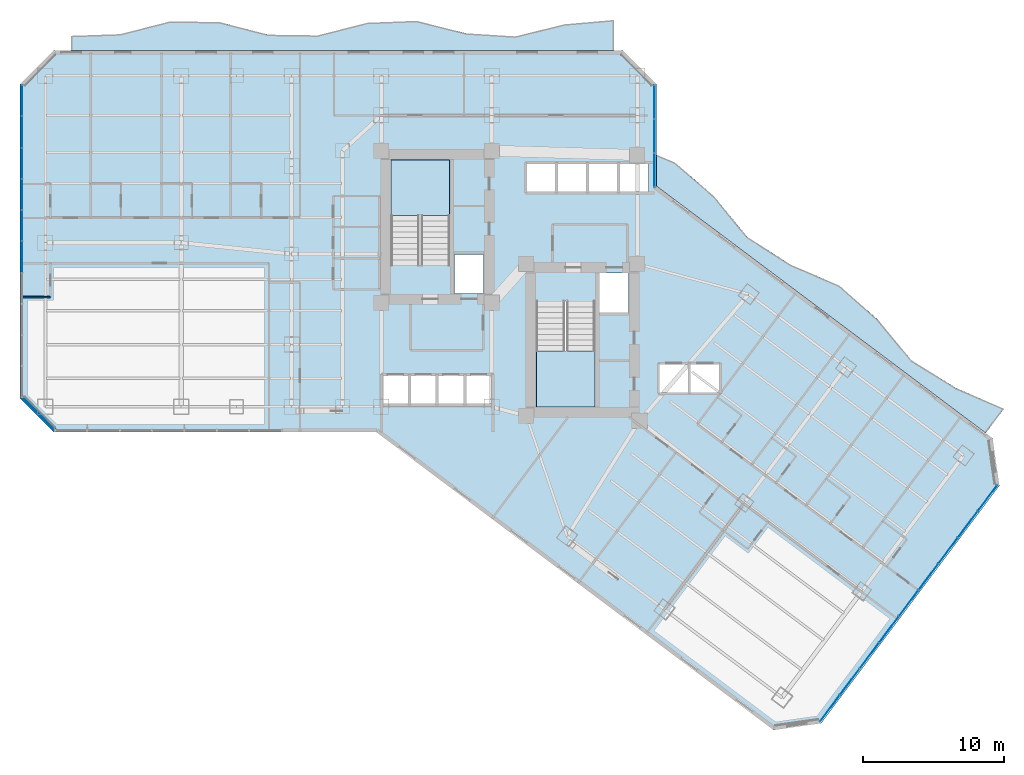
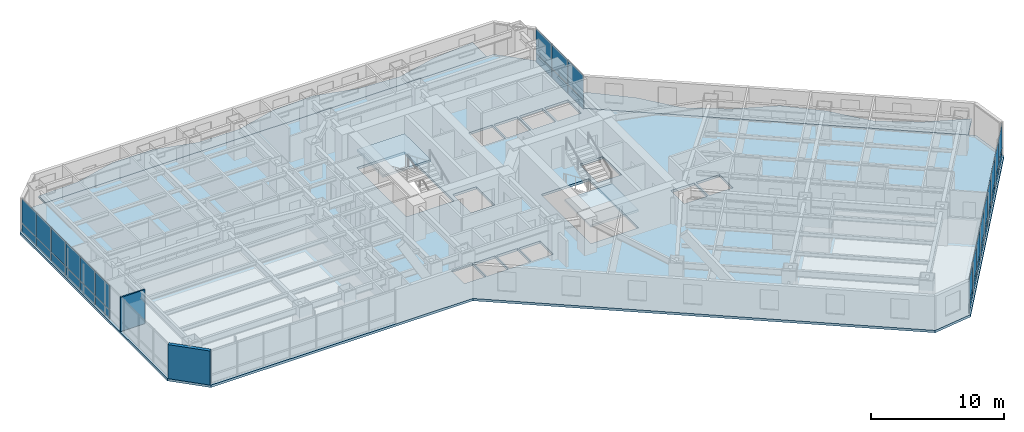
# One storey, part 21 of 33: 36 plates, 5 slabs, 2 walls, 5 elements without a shape of their own.
"""IFC4 building model written with IfcOpenShell, lengths in metres."""

from ifc_helpers import new_model, si_unit, direction, frame, frame_2d, origin, origin_2d, place, context, subcontext, project, spatial, polyline, rectangle, outline, extrude, material, layer, layer_set, type_object, element, aggregate, save


model = new_model("IFC4")

# Units and contexts
model_context = context("Model", 3, precision=1e-05, world=origin(), true_north=direction((0.0, 1.0)))
body_context = subcontext(model_context, "Body", "Model", "MODEL_VIEW")
ifc_project = project(units=[si_unit("LENGTHUNIT", "METRE"), si_unit("AREAUNIT", "SQUARE_METRE"), si_unit("VOLUMEUNIT", "CUBIC_METRE"), si_unit("PLANEANGLEUNIT", "RADIAN"), si_unit("MASSUNIT", "GRAM", prefix="KILO")], contexts=[model_context])

# Site, building, storey
site_placement = place(None, origin())
site = spatial("IfcSite", under=ifc_project, at=site_placement, CompositionType="ELEMENT")
building_placement = place(site_placement, origin())
building = spatial("IfcBuilding", under=site, at=building_placement, Name="Hatsunagi Terrace Concourse", CompositionType="ELEMENT")
storey_placement = place(building_placement, frame((0.0, 0.0, 56.699951171875)))
storey = spatial("IfcBuildingStorey", under=building, at=storey_placement, Name="L14", CompositionType="ELEMENT", Elevation=56.699951171875)

# Curtain wall, plates
ifc_material_1 = material(Name="Anodised Aluminium Alloy 6063-T5", Category="aluminium")
ifc_layer_1 = layer(ifc_material_1, 0.199951171875)
ifc_layer_set_1 = layer_set([ifc_layer_1], Name="HotelFacade_CW02")
curtain_wall_type = type_object("IfcCurtainWallType", Name="HotelFacade_CW02", PredefinedType="NOTDEFINED", material=ifc_layer_set_1)
curtain_wall_1_placement = place(storey_placement, origin())
curtain_wall_1 = element("IfcCurtainWall", 1, at=curtain_wall_1_placement, inside=storey, type_object=curtain_wall_type, Name="Unitised Curtain Wall CW-02 CW-L14-03", PredefinedType="NOTDEFINED")
ifc_material_2 = material(Name="Warm Terracotta Ceramic Spandrel Panel", Category="masonry")
ifc_layer_2 = layer(ifc_material_2, 0.031982421875)
ifc_layer_set_2 = layer_set([ifc_layer_2], Name="CurtainWallSpandrelPanel_32")
plate_type_1 = type_object("IfcPlateType", Name="CurtainWallSpandrelPanel_32", PredefinedType="SHEET", material=ifc_layer_set_2)
plate_1_placement = place(storey_placement, frame((68.39697265625, 18.72998046875, 0.030029296875), z_axis=(0.0, 0.0, 1.0), x_axis=(-0.599969314634, -0.800023013105, 0.0)))
plate_1 = element("IfcPlate", 2, at=plate_1_placement, type_object=plate_type_1, Name="Terracotta Spandrel Panel SPN-01", PredefinedType="SHEET", context=body_context, shape_type="SweptSolid", body=[
    extrude(rectangle(XDim=2.264892578125, YDim=0.031982421875, at=origin_2d()), origin(), (0.0, 0.0, 1.0), 0.7900390625),
])
plate_2_placement = place(storey_placement, frame((67.0048828125, 16.873046875, 0.030029296875), z_axis=(0.0, 0.0, 1.0), x_axis=(-0.599969314634, -0.800023013105, 0.0)))
plate_2 = element("IfcPlate", 3, at=plate_2_placement, type_object=plate_type_1, Name="Terracotta Spandrel Panel SPN-01", PredefinedType="SHEET", context=body_context, shape_type="SweptSolid", body=[
    extrude(rectangle(XDim=2.264892578125, YDim=0.031982421875, at=origin_2d()), origin(), (0.0, 0.0, 1.0), 0.7900390625),
])
plate_3_placement = place(storey_placement, frame((65.612060546875, 15.01708984375, 0.030029296875), z_axis=(0.0, 0.0, 1.0), x_axis=(-0.599969314634, -0.800023013105, 0.0)))
plate_3 = element("IfcPlate", 4, at=plate_3_placement, type_object=plate_type_1, Name="Terracotta Spandrel Panel SPN-01", PredefinedType="SHEET", context=body_context, shape_type="SweptSolid", body=[
    extrude(rectangle(XDim=2.264892578125, YDim=0.031982421875, at=origin_2d()), origin(), (0.0, 0.0, 1.0), 0.7900390625),
])
plate_4_placement = place(storey_placement, frame((64.219970703125, 13.159912109375, 0.030029296875), z_axis=(0.0, 0.0, 1.0), x_axis=(-0.599969314634, -0.800023013105, 0.0)))
plate_4 = element("IfcPlate", 5, at=plate_4_placement, type_object=plate_type_1, Name="Terracotta Spandrel Panel SPN-01", PredefinedType="SHEET", context=body_context, shape_type="SweptSolid", body=[
    extrude(rectangle(XDim=2.264892578125, YDim=0.031982421875, at=origin_2d()), origin(), (0.0, 0.0, 1.0), 0.7900390625),
])
plate_5_placement = place(storey_placement, frame((62.827880859375, 11.303955078125, 0.030029296875), z_axis=(0.0, 0.0, 1.0), x_axis=(-0.599969314634, -0.800023013105, 0.0)))
plate_5 = element("IfcPlate", 6, at=plate_5_placement, type_object=plate_type_1, Name="Terracotta Spandrel Panel SPN-01", PredefinedType="SHEET", context=body_context, shape_type="SweptSolid", body=[
    extrude(rectangle(XDim=2.264892578125, YDim=0.031982421875, at=origin_2d()), origin(), (0.0, 0.0, 1.0), 0.7900390625),
])
plate_6_placement = place(storey_placement, frame((61.43603515625, 9.447998046875, 0.030029296875), z_axis=(0.0, 0.0, 1.0), x_axis=(-0.599969314634, -0.800023013105, 0.0)))
plate_6 = element("IfcPlate", 7, at=plate_6_placement, type_object=plate_type_1, Name="Terracotta Spandrel Panel SPN-01", PredefinedType="SHEET", context=body_context, shape_type="SweptSolid", body=[
    extrude(rectangle(XDim=2.264892578125, YDim=0.031982421875, at=origin_2d()), origin(), (0.0, 0.0, 1.0), 0.7900390625),
])
plate_7_placement = place(storey_placement, frame((60.0439453125, 7.591064453125, 0.030029296875), z_axis=(0.0, 0.0, 1.0), x_axis=(-0.599969314634, -0.800023013105, 0.0)))
plate_7 = element("IfcPlate", 8, at=plate_7_placement, type_object=plate_type_1, Name="Terracotta Spandrel Panel SPN-01", PredefinedType="SHEET", context=body_context, shape_type="SweptSolid", body=[
    extrude(rectangle(XDim=2.264892578125, YDim=0.031982421875, at=origin_2d()), origin(), (0.0, 0.0, 1.0), 0.7900390625),
])
plate_8_placement = place(storey_placement, frame((58.65087890625, 5.735107421875, 0.030029296875), z_axis=(0.0, 0.0, 1.0), x_axis=(-0.599969314634, -0.800023013105, 0.0)))
plate_8 = element("IfcPlate", 9, at=plate_8_placement, type_object=plate_type_1, Name="Terracotta Spandrel Panel SPN-01", PredefinedType="SHEET", context=body_context, shape_type="SweptSolid", body=[
    extrude(rectangle(XDim=2.264892578125, YDim=0.031982421875, at=origin_2d()), origin(), (0.0, 0.0, 1.0), 0.7900390625),
])
plate_9_placement = place(storey_placement, frame((57.259033203125, 3.8779296875, 0.030029296875), z_axis=(0.0, 0.0, 1.0), x_axis=(-0.599969314634, -0.800023013105, 0.0)))
plate_9 = element("IfcPlate", 10, at=plate_9_placement, type_object=plate_type_1, Name="Terracotta Spandrel Panel SPN-01", PredefinedType="SHEET", context=body_context, shape_type="SweptSolid", body=[
    extrude(rectangle(XDim=2.264892578125, YDim=0.031982421875, at=origin_2d()), origin(), (0.0, 0.0, 1.0), 0.7900390625),
])

curtain_wall_2_placement = place(storey_placement, origin())
curtain_wall_2 = element("IfcCurtainWall", 11, at=curtain_wall_2_placement, inside=storey, type_object=curtain_wall_type, Name="Unitised Curtain Wall CW-02 CW-L14-09", PredefinedType="NOTDEFINED")
plate_10_placement = place(storey_placement, frame((0.139892578125, 35.7958984375, 0.030029296875), z_axis=(0.0, 0.0, 1.0), x_axis=(0.0, 1.0, 0.0)))
plate_10 = element("IfcPlate", 12, at=plate_10_placement, type_object=plate_type_1, Name="Terracotta Spandrel Panel SPN-01", PredefinedType="SHEET", context=body_context, shape_type="SweptSolid", body=[
    extrude(rectangle(XDim=2.153076171875, YDim=0.031982421875, at=origin_2d()), origin(), (0.0, 0.0, 1.0), 0.7900390625),
])
plate_11_placement = place(storey_placement, frame((0.139892578125, 38.00390625, 0.030029296875), z_axis=(0.0, 0.0, 1.0), x_axis=(0.0, 1.0, 0.0)))
plate_11 = element("IfcPlate", 13, at=plate_11_placement, type_object=plate_type_1, Name="Terracotta Spandrel Panel SPN-01", PredefinedType="SHEET", context=body_context, shape_type="SweptSolid", body=[
    extrude(rectangle(XDim=2.153076171875, YDim=0.031982421875, at=origin_2d()), origin(), (0.0, 0.0, 1.0), 0.7900390625),
])
plate_12_placement = place(storey_placement, frame((0.139892578125, 40.212890625, 0.030029296875), z_axis=(0.0, 0.0, 1.0), x_axis=(0.0, 1.0, 0.0)))
plate_12 = element("IfcPlate", 14, at=plate_12_placement, type_object=plate_type_1, Name="Terracotta Spandrel Panel SPN-01", PredefinedType="SHEET", context=body_context, shape_type="SweptSolid", body=[
    extrude(rectangle(XDim=2.153076171875, YDim=0.031982421875, at=origin_2d()), origin(), (0.0, 0.0, 1.0), 0.7900390625),
])
plate_13_placement = place(storey_placement, frame((0.139892578125, 42.4208984375, 0.030029296875), z_axis=(0.0, 0.0, 1.0), x_axis=(0.0, 1.0, 0.0)))
plate_13 = element("IfcPlate", 15, at=plate_13_placement, type_object=plate_type_1, Name="Terracotta Spandrel Panel SPN-01", PredefinedType="SHEET", context=body_context, shape_type="SweptSolid", body=[
    extrude(rectangle(XDim=2.153076171875, YDim=0.031982421875, at=origin_2d()), origin(), (0.0, 0.0, 1.0), 0.7900390625),
])
plate_14_placement = place(storey_placement, frame((0.139892578125, 44.62890625, 0.030029296875), z_axis=(0.0, 0.0, 1.0), x_axis=(0.0, 1.0, 0.0)))
plate_14 = element("IfcPlate", 16, at=plate_14_placement, type_object=plate_type_1, Name="Terracotta Spandrel Panel SPN-01", PredefinedType="SHEET", context=body_context, shape_type="SweptSolid", body=[
    extrude(rectangle(XDim=2.153076171875, YDim=0.031982421875, at=origin_2d()), origin(), (0.0, 0.0, 1.0), 0.7900390625),
])
plate_15_placement = place(storey_placement, frame((0.139892578125, 46.837890625, 0.030029296875), z_axis=(0.0, 0.0, 1.0), x_axis=(0.0, 1.0, 0.0)))
plate_15 = element("IfcPlate", 17, at=plate_15_placement, type_object=plate_type_1, Name="Terracotta Spandrel Panel SPN-01", PredefinedType="SHEET", context=body_context, shape_type="SweptSolid", body=[
    extrude(rectangle(XDim=2.153076171875, YDim=0.031982421875, at=origin_2d()), origin(), (0.0, 0.0, 1.0), 0.7900390625),
])

curtain_wall_3_placement = place(storey_placement, origin())
curtain_wall_3 = element("IfcCurtainWall", 18, at=curtain_wall_3_placement, inside=storey, type_object=curtain_wall_type, Name="Unitised Curtain Wall CW-02 CW-L14-13", PredefinedType="NOTDEFINED")
plate_16_placement = place(storey_placement, frame((44.860107421875, 46.739990234375, 0.030029296875), z_axis=(0.0, 0.0, 1.0), x_axis=(0.0, -1.0, 0.0)))
plate_16 = element("IfcPlate", 19, at=plate_16_placement, type_object=plate_type_1, Name="Terracotta Spandrel Panel SPN-01", PredefinedType="SHEET", context=body_context, shape_type="SweptSolid", body=[
    extrude(rectangle(XDim=2.34912109375, YDim=0.031982421875, at=origin_2d()), origin(), (0.0, 0.0, 1.0), 0.7900390625),
])
plate_17_placement = place(storey_placement, frame((44.860107421875, 44.3359375, 0.030029296875), z_axis=(0.0, 0.0, 1.0), x_axis=(0.0, -1.0, 0.0)))
plate_17 = element("IfcPlate", 20, at=plate_17_placement, type_object=plate_type_1, Name="Terracotta Spandrel Panel SPN-01", PredefinedType="SHEET", context=body_context, shape_type="SweptSolid", body=[
    extrude(rectangle(XDim=2.34912109375, YDim=0.031982421875, at=origin_2d()), origin(), (0.0, 0.0, 1.0), 0.7900390625),
])
plate_18_placement = place(storey_placement, frame((44.860107421875, 41.931884765625, 0.030029296875), z_axis=(0.0, 0.0, 1.0), x_axis=(0.0, -1.0, 0.0)))
plate_18 = element("IfcPlate", 21, at=plate_18_placement, type_object=plate_type_1, Name="Terracotta Spandrel Panel SPN-01", PredefinedType="SHEET", context=body_context, shape_type="SweptSolid", body=[
    extrude(rectangle(XDim=2.34912109375, YDim=0.031982421875, at=origin_2d()), origin(), (0.0, 0.0, 1.0), 0.7900390625),
])

# Plate
ifc_material_3 = material(Name="Low-E Double Insulating Glass 28mm", Category="glass")
ifc_layer_3 = layer(ifc_material_3, 0.028076171875)
ifc_layer_set_3 = layer_set([ifc_layer_3], Name="CurtainWallVisionGlass_28")
plate_type_2 = type_object("IfcPlateType", Name="CurtainWallVisionGlass_28", PredefinedType="CURTAIN_PANEL", material=ifc_layer_set_3)
plate_19_placement = place(storey_placement, frame((68.39697265625, 18.72998046875, 0.8798828125), z_axis=(0.0, 0.0, 1.0), x_axis=(-0.599969314634, -0.800023013105, 0.0)))
plate_19 = element("IfcPlate", 22, at=plate_19_placement, type_object=plate_type_2, Name="Low-E Vision Glass Panel GLZ-01", PredefinedType="CURTAIN_PANEL", context=body_context, shape_type="SweptSolid", body=[
    extrude(rectangle(XDim=2.264892578125, YDim=0.028076171875, at=origin_2d()), origin(), (0.0, 0.0, 1.0), 2.219970703125),
])

plate_20_placement = place(storey_placement, frame((67.0048828125, 16.873046875, 0.8798828125), z_axis=(0.0, 0.0, 1.0), x_axis=(-0.599969314634, -0.800023013105, 0.0)))
plate_20 = element("IfcPlate", 23, at=plate_20_placement, type_object=plate_type_2, Name="Low-E Vision Glass Panel GLZ-01", PredefinedType="CURTAIN_PANEL", context=body_context, shape_type="SweptSolid", body=[
    extrude(rectangle(XDim=2.264892578125, YDim=0.028076171875, at=origin_2d()), origin(), (0.0, 0.0, 1.0), 2.219970703125),
])

plate_21_placement = place(storey_placement, frame((65.612060546875, 15.01708984375, 0.8798828125), z_axis=(0.0, 0.0, 1.0), x_axis=(-0.599969314634, -0.800023013105, 0.0)))
plate_21 = element("IfcPlate", 24, at=plate_21_placement, type_object=plate_type_2, Name="Low-E Vision Glass Panel GLZ-01", PredefinedType="CURTAIN_PANEL", context=body_context, shape_type="SweptSolid", body=[
    extrude(rectangle(XDim=2.264892578125, YDim=0.028076171875, at=origin_2d()), origin(), (0.0, 0.0, 1.0), 2.219970703125),
])

plate_22_placement = place(storey_placement, frame((64.219970703125, 13.159912109375, 0.8798828125), z_axis=(0.0, 0.0, 1.0), x_axis=(-0.599969314634, -0.800023013105, 0.0)))
plate_22 = element("IfcPlate", 25, at=plate_22_placement, type_object=plate_type_2, Name="Low-E Vision Glass Panel GLZ-01", PredefinedType="CURTAIN_PANEL", context=body_context, shape_type="SweptSolid", body=[
    extrude(rectangle(XDim=2.264892578125, YDim=0.028076171875, at=origin_2d()), origin(), (0.0, 0.0, 1.0), 2.219970703125),
])

plate_23_placement = place(storey_placement, frame((62.827880859375, 11.303955078125, 0.8798828125), z_axis=(0.0, 0.0, 1.0), x_axis=(-0.599969314634, -0.800023013105, 0.0)))
plate_23 = element("IfcPlate", 26, at=plate_23_placement, type_object=plate_type_2, Name="Low-E Vision Glass Panel GLZ-01", PredefinedType="CURTAIN_PANEL", context=body_context, shape_type="SweptSolid", body=[
    extrude(rectangle(XDim=2.264892578125, YDim=0.028076171875, at=origin_2d()), origin(), (0.0, 0.0, 1.0), 2.219970703125),
])

plate_24_placement = place(storey_placement, frame((61.43603515625, 9.447998046875, 0.8798828125), z_axis=(0.0, 0.0, 1.0), x_axis=(-0.599969314634, -0.800023013105, 0.0)))
plate_24 = element("IfcPlate", 27, at=plate_24_placement, type_object=plate_type_2, Name="Low-E Vision Glass Panel GLZ-01", PredefinedType="CURTAIN_PANEL", context=body_context, shape_type="SweptSolid", body=[
    extrude(rectangle(XDim=2.264892578125, YDim=0.028076171875, at=origin_2d()), origin(), (0.0, 0.0, 1.0), 2.219970703125),
])

plate_25_placement = place(storey_placement, frame((60.0439453125, 7.591064453125, 0.8798828125), z_axis=(0.0, 0.0, 1.0), x_axis=(-0.599969314634, -0.800023013105, 0.0)))
plate_25 = element("IfcPlate", 28, at=plate_25_placement, type_object=plate_type_2, Name="Low-E Vision Glass Panel GLZ-01", PredefinedType="CURTAIN_PANEL", context=body_context, shape_type="SweptSolid", body=[
    extrude(rectangle(XDim=2.264892578125, YDim=0.028076171875, at=origin_2d()), origin(), (0.0, 0.0, 1.0), 2.219970703125),
])

plate_26_placement = place(storey_placement, frame((58.65087890625, 5.735107421875, 0.8798828125), z_axis=(0.0, 0.0, 1.0), x_axis=(-0.599969314634, -0.800023013105, 0.0)))
plate_26 = element("IfcPlate", 29, at=plate_26_placement, type_object=plate_type_2, Name="Low-E Vision Glass Panel GLZ-01", PredefinedType="CURTAIN_PANEL", context=body_context, shape_type="SweptSolid", body=[
    extrude(rectangle(XDim=2.264892578125, YDim=0.028076171875, at=origin_2d()), origin(), (0.0, 0.0, 1.0), 2.219970703125),
])

plate_27_placement = place(storey_placement, frame((57.259033203125, 3.8779296875, 0.8798828125), z_axis=(0.0, 0.0, 1.0), x_axis=(-0.599969314634, -0.800023013105, 0.0)))
plate_27 = element("IfcPlate", 30, at=plate_27_placement, type_object=plate_type_2, Name="Low-E Vision Glass Panel GLZ-01", PredefinedType="CURTAIN_PANEL", context=body_context, shape_type="SweptSolid", body=[
    extrude(rectangle(XDim=2.264892578125, YDim=0.028076171875, at=origin_2d()), origin(), (0.0, 0.0, 1.0), 2.219970703125),
])

aggregate(curtain_wall_1, [plate_1, plate_19, plate_2, plate_20, plate_3, plate_21, plate_4, plate_22, plate_5, plate_23, plate_6, plate_24, plate_7, plate_25, plate_8, plate_26, plate_9, plate_27])

plate_28_placement = place(storey_placement, frame((0.139892578125, 35.7958984375, 0.8798828125), z_axis=(0.0, 0.0, 1.0), x_axis=(0.0, 1.0, 0.0)))
plate_28 = element("IfcPlate", 31, at=plate_28_placement, type_object=plate_type_2, Name="Low-E Vision Glass Panel GLZ-01", PredefinedType="CURTAIN_PANEL", context=body_context, shape_type="SweptSolid", body=[
    extrude(rectangle(XDim=2.153076171875, YDim=0.028076171875, at=origin_2d()), origin(), (0.0, 0.0, 1.0), 2.219970703125),
])

plate_29_placement = place(storey_placement, frame((0.139892578125, 38.00390625, 0.8798828125), z_axis=(0.0, 0.0, 1.0), x_axis=(0.0, 1.0, 0.0)))
plate_29 = element("IfcPlate", 32, at=plate_29_placement, type_object=plate_type_2, Name="Low-E Vision Glass Panel GLZ-01", PredefinedType="CURTAIN_PANEL", context=body_context, shape_type="SweptSolid", body=[
    extrude(rectangle(XDim=2.153076171875, YDim=0.028076171875, at=origin_2d()), origin(), (0.0, 0.0, 1.0), 2.219970703125),
])

plate_30_placement = place(storey_placement, frame((0.139892578125, 40.212890625, 0.8798828125), z_axis=(0.0, 0.0, 1.0), x_axis=(0.0, 1.0, 0.0)))
plate_30 = element("IfcPlate", 33, at=plate_30_placement, type_object=plate_type_2, Name="Low-E Vision Glass Panel GLZ-01", PredefinedType="CURTAIN_PANEL", context=body_context, shape_type="SweptSolid", body=[
    extrude(rectangle(XDim=2.153076171875, YDim=0.028076171875, at=origin_2d()), origin(), (0.0, 0.0, 1.0), 2.219970703125),
])

plate_31_placement = place(storey_placement, frame((0.139892578125, 42.4208984375, 0.8798828125), z_axis=(0.0, 0.0, 1.0), x_axis=(0.0, 1.0, 0.0)))
plate_31 = element("IfcPlate", 34, at=plate_31_placement, type_object=plate_type_2, Name="Low-E Vision Glass Panel GLZ-01", PredefinedType="CURTAIN_PANEL", context=body_context, shape_type="SweptSolid", body=[
    extrude(rectangle(XDim=2.153076171875, YDim=0.028076171875, at=origin_2d()), origin(), (0.0, 0.0, 1.0), 2.219970703125),
])

plate_32_placement = place(storey_placement, frame((0.139892578125, 44.62890625, 0.8798828125), z_axis=(0.0, 0.0, 1.0), x_axis=(0.0, 1.0, 0.0)))
plate_32 = element("IfcPlate", 35, at=plate_32_placement, type_object=plate_type_2, Name="Low-E Vision Glass Panel GLZ-01", PredefinedType="CURTAIN_PANEL", context=body_context, shape_type="SweptSolid", body=[
    extrude(rectangle(XDim=2.153076171875, YDim=0.028076171875, at=origin_2d()), origin(), (0.0, 0.0, 1.0), 2.219970703125),
])

plate_33_placement = place(storey_placement, frame((0.139892578125, 46.837890625, 0.8798828125), z_axis=(0.0, 0.0, 1.0), x_axis=(0.0, 1.0, 0.0)))
plate_33 = element("IfcPlate", 36, at=plate_33_placement, type_object=plate_type_2, Name="Low-E Vision Glass Panel GLZ-01", PredefinedType="CURTAIN_PANEL", context=body_context, shape_type="SweptSolid", body=[
    extrude(rectangle(XDim=2.153076171875, YDim=0.028076171875, at=origin_2d()), origin(), (0.0, 0.0, 1.0), 2.219970703125),
])

aggregate(curtain_wall_2, [plate_10, plate_28, plate_11, plate_29, plate_12, plate_30, plate_13, plate_31, plate_14, plate_32, plate_15, plate_33])

plate_34_placement = place(storey_placement, frame((44.860107421875, 46.739990234375, 0.8798828125), z_axis=(0.0, 0.0, 1.0), x_axis=(0.0, -1.0, 0.0)))
plate_34 = element("IfcPlate", 37, at=plate_34_placement, type_object=plate_type_2, Name="Low-E Vision Glass Panel GLZ-01", PredefinedType="CURTAIN_PANEL", context=body_context, shape_type="SweptSolid", body=[
    extrude(rectangle(XDim=2.34912109375, YDim=0.028076171875, at=origin_2d()), origin(), (0.0, 0.0, 1.0), 2.219970703125),
])

plate_35_placement = place(storey_placement, frame((44.860107421875, 44.3359375, 0.8798828125), z_axis=(0.0, 0.0, 1.0), x_axis=(0.0, -1.0, 0.0)))
plate_35 = element("IfcPlate", 38, at=plate_35_placement, type_object=plate_type_2, Name="Low-E Vision Glass Panel GLZ-01", PredefinedType="CURTAIN_PANEL", context=body_context, shape_type="SweptSolid", body=[
    extrude(rectangle(XDim=2.34912109375, YDim=0.028076171875, at=origin_2d()), origin(), (0.0, 0.0, 1.0), 2.219970703125),
])

plate_36_placement = place(storey_placement, frame((44.860107421875, 41.931884765625, 0.8798828125), z_axis=(0.0, 0.0, 1.0), x_axis=(0.0, -1.0, 0.0)))
plate_36 = element("IfcPlate", 39, at=plate_36_placement, type_object=plate_type_2, Name="Low-E Vision Glass Panel GLZ-01", PredefinedType="CURTAIN_PANEL", context=body_context, shape_type="SweptSolid", body=[
    extrude(rectangle(XDim=2.34912109375, YDim=0.028076171875, at=origin_2d()), origin(), (0.0, 0.0, 1.0), 2.219970703125),
])

aggregate(curtain_wall_3, [plate_16, plate_34, plate_17, plate_35, plate_18, plate_36])

# Stair, slab
ifc_material_4 = material(Name="Concrete Fc42", Category="concrete")
stair_type = type_object("IfcStairType", Name="DoglegExitStair_Tower2000_20R_167", PredefinedType="HALF_TURN_STAIR", material=ifc_material_4)
stair_1_placement = place(storey_placement, origin())
stair_1 = element("IfcStair", 40, at=stair_1_placement, inside=storey, type_object=stair_type, Name="L14 Core A Protected Exit Stair ST-A", PredefinedType="HALF_TURN_STAIR")
ifc_material_5 = material(Name="Concrete Fc42", Category="concrete")
ifc_layer_4 = layer(ifc_material_5, 0.199951171875)
ifc_layer_set_4 = layer_set([ifc_layer_4], Name="DoglegStairLanding_Tower2000")
slab_type_1 = type_object("IfcSlabType", Name="DoglegStairLanding_Tower2000", PredefinedType="LANDING", material=ifc_layer_set_4)
slab_1_placement = place(storey_placement, frame((0.0, 0.0, 1.47509765625)))
slab_1 = element("IfcSlab", 41, at=slab_1_placement, type_object=slab_type_1, Name="ST-A landing 1", PredefinedType="LANDING", context=body_context, shape_type="SweptSolid", body=[
    extrude(outline(polyline([(30.3798828125, 38.7099609375), (30.3798828125, 42.659912109375), (26.22998046875, 42.659912109375), (26.22998046875, 38.7099609375), (30.3798828125, 38.7099609375)])), origin(), (0.0, 0.0, 1.0), 0.199951171875),
])
aggregate(stair_1, [slab_1])

stair_2_placement = place(storey_placement, origin())
stair_2 = element("IfcStair", 42, at=stair_2_placement, inside=storey, type_object=stair_type, Name="L14 Core B Protected Exit Stair ST-B", PredefinedType="HALF_TURN_STAIR")
slab_2_placement = place(storey_placement, frame((0.0, 0.0, 1.47509765625)))
slab_2 = element("IfcSlab", 43, at=slab_2_placement, type_object=slab_type_1, Name="ST-B landing 1", PredefinedType="LANDING", context=body_context, shape_type="SweptSolid", body=[
    extrude(outline(polyline([(36.5, 29.14990234375), (36.5, 25.199951171875), (40.64990234375, 25.199951171875), (40.64990234375, 29.14990234375), (36.5, 29.14990234375)])), origin(), (0.0, 0.0, 1.0), 0.199951171875),
])
aggregate(stair_2, [slab_2])

# Slabs
ifc_material_6 = material(Name="Concrete Fc42", Category="concrete")
ifc_layer_5 = layer(ifc_material_6, 0.199951171875)
ifc_layer_set_5 = layer_set([ifc_layer_5], Name="EngawaBalconySlab_Fc42_200")
slab_type_2 = type_object("IfcSlabType", Name="EngawaBalconySlab_Fc42_200", PredefinedType="FLOOR", material=ifc_layer_set_5)
slab_3_placement = place(storey_placement, frame((0.0, 0.0, -0.199951171875)))
element("IfcSlab", 44, at=slab_3_placement, inside=storey, type_object=slab_type_2, Name="Engawa Balcony Slab BAL-L14-BN", PredefinedType="FLOOR", context=body_context, shape_type="SweptSolid", body=[
    extrude(outline(polyline([(3.60009765625, 51.424072265625), (3.60009765625, 50.39990234375), (42.0, 50.39990234375), (42.0, 52.5439453125), (38.509033203125, 52.241943359375), (35.01806640625, 51.384033203125), (31.527099609375, 51.60400390625), (28.035888671875, 52.48291015625), (24.544921875, 52.346923828125), (21.054931640625, 51.455078125), (17.56396484375, 51.506103515625), (14.072998046875, 52.403076171875), (10.58203125, 52.43701171875), (7.091064453125, 51.54296875), (3.60009765625, 51.424072265625)])), origin(), (0.0, 0.0, 1.0), 0.199951171875),
])
slab_4_placement = place(storey_placement, frame((0.0, 0.0, -0.199951171875)))
element("IfcSlab", 45, at=slab_4_placement, inside=storey, type_object=slab_type_2, Name="Engawa Balcony Slab BAL-L14-BSE", PredefinedType="FLOOR", context=body_context, shape_type="SweptSolid", body=[
    extrude(outline(polyline([(46.2939453125, 42.469970703125), (44.99609375, 43.02099609375), (44.99609375, 40.802978515625), (68.280029296875, 23.340087890625), (69.568115234375, 25.056884765625), (66.14306640625, 26.5458984375), (63.0439453125, 28.468994140625), (60.660888671875, 31.347900390625), (57.930908203125, 33.763916015625), (54.49609375, 35.239013671875), (51.427001953125, 37.202880859375), (49.053955078125, 40.094970703125), (46.2939453125, 42.469970703125)])), origin(), (0.0, 0.0, 1.0), 0.199951171875),
])
ifc_material_7 = material(Name="Concrete Fc42", Category="concrete")
ifc_layer_6 = layer(ifc_material_7, 0.219970703125)
ifc_layer_set_6 = layer_set([ifc_layer_6], Name="HotelFloorSlab_Fc42_220")
slab_type_3 = type_object("IfcSlabType", Name="HotelFloorSlab_Fc42_220", PredefinedType="FLOOR", material=ifc_layer_set_6)
slab_5_placement = place(storey_placement, frame((0.0, 0.0, -0.219970703125)))
element("IfcSlab", 46, at=slab_5_placement, inside=storey, type_object=slab_type_3, Name="Floor Slab SL-220 L14", PredefinedType="FLOOR", context=body_context, shape_type="SweptSolid", body=[
    extrude(outline(polyline([(45.0, 40.800048828125), (45.0, 48.0), (42.60009765625, 50.39990234375), (2.39990234375, 50.39990234375), (0.0, 48.0), (0.0, 25.800048828125), (2.39990234375, 23.39990234375), (25.199951171875, 23.39990234375), (53.280029296875, 2.340087890625), (56.639892578125, 2.820068359375), (69.239990234375, 19.6201171875), (68.760009765625, 22.97998046875), (45.0, 40.800048828125)]), holes=[polyline([(26.22998046875, 35.205078125), (30.3798828125, 35.205078125), (30.3798828125, 42.659912109375), (26.22998046875, 42.659912109375), (26.22998046875, 35.205078125)]), polyline([(36.5, 25.199951171875), (40.64990234375, 25.199951171875), (40.64990234375, 32.655029296875), (36.5, 32.655029296875), (36.5, 25.199951171875)]), polyline([(30.719970703125, 33.219970703125), (32.780029296875, 33.219970703125), (32.780029296875, 35.97998046875), (30.719970703125, 35.97998046875), (30.719970703125, 33.219970703125)]), polyline([(40.97998046875, 31.8798828125), (43.02001953125, 31.8798828125), (43.02001953125, 34.639892578125), (40.97998046875, 34.639892578125), (40.97998046875, 31.8798828125)]), polyline([(25.6201171875, 25.39990234375), (27.47998046875, 25.39990234375), (27.47998046875, 27.39990234375), (25.6201171875, 27.39990234375), (25.6201171875, 25.39990234375)]), polyline([(27.580078125, 25.39990234375), (29.43994140625, 25.39990234375), (29.43994140625, 27.39990234375), (27.580078125, 27.39990234375), (27.580078125, 25.39990234375)]), polyline([(29.5400390625, 25.39990234375), (31.39990234375, 25.39990234375), (31.39990234375, 27.39990234375), (29.5400390625, 27.39990234375), (29.5400390625, 25.39990234375)]), polyline([(31.5, 25.39990234375), (33.360107421875, 25.39990234375), (33.360107421875, 27.39990234375), (31.5, 27.39990234375), (31.5, 25.39990234375)]), polyline([(35.800048828125, 40.39990234375), (37.85009765625, 40.39990234375), (37.85009765625, 42.39990234375), (35.800048828125, 42.39990234375), (35.800048828125, 40.39990234375)]), polyline([(38.0, 40.39990234375), (40.050048828125, 40.39990234375), (40.050048828125, 42.39990234375), (38.0, 42.39990234375), (38.0, 40.39990234375)]), polyline([(40.199951171875, 40.39990234375), (42.25, 40.39990234375), (42.25, 42.39990234375), (40.199951171875, 42.39990234375), (40.199951171875, 40.39990234375)]), polyline([(42.39990234375, 40.39990234375), (44.449951171875, 40.39990234375), (44.449951171875, 42.39990234375), (42.39990234375, 42.39990234375), (42.39990234375, 40.39990234375)]), polyline([(45.199951171875, 26.199951171875), (47.25, 26.199951171875), (47.25, 28.199951171875), (45.199951171875, 28.199951171875), (45.199951171875, 26.199951171875)]), polyline([(47.39990234375, 26.199951171875), (49.449951171875, 26.199951171875), (49.449951171875, 28.199951171875), (47.39990234375, 28.199951171875), (47.39990234375, 26.199951171875)])]), origin(), (0.0, 0.0, 1.0), 0.219970703125),
])

# Walls
ifc_material_8 = material(Name="Acoustic mineral board", Category="gypsum")
ifc_layer_7 = layer(ifc_material_8, 0.1201171875)
ifc_layer_set_7 = layer_set([ifc_layer_7], Name="PartitionWall_EI30_120")
wall_type_1 = type_object("IfcWallType", Name="PartitionWall_EI30_120", PredefinedType="PARTITIONING", material=ifc_layer_set_7)
wall_1_placement = place(storey_placement, frame((0.0400390625, 32.949951171875, 0.0), z_axis=(0.0, 0.0, 1.0), x_axis=(1.0, 0.0, 0.0)))
element("IfcWall", 47, at=wall_1_placement, inside=storey, type_object=wall_type_1, Name="Interior Partition IW-L14-067", PredefinedType="PARTITIONING", context=body_context, shape_type="SweptSolid", body=[
    extrude(rectangle(XDim=2.10986328125, YDim=0.1201171875, at=frame_2d((1.054931640625, 0.0))), origin(), (0.0, 0.0, 1.0), 3.130126953125),
])
ifc_material_9 = material(Name="Autoclaved Lightweight Concrete and Terracotta Cladding", Category="masonry")
ifc_layer_8 = layer(ifc_material_9, 0.280029296875)
ifc_layer_set_8 = layer_set([ifc_layer_8], Name="TerracottaSpandrelWall_280")
wall_type_2 = type_object("IfcWallType", Name="TerracottaSpandrelWall_280", PredefinedType="STANDARD", material=ifc_layer_set_8)
wall_2_placement = place(storey_placement, frame((2.4580078125, 23.5400390625, 0.0), z_axis=(0.0, 0.0, 1.0), x_axis=(-0.707144017911, 0.707069542501, 0.0)))
element("IfcWall", 48, at=wall_2_placement, inside=storey, type_object=wall_type_2, Name="Exterior Spandrel Wall EW-L14-08", PredefinedType="STANDARD", context=body_context, shape_type="SweptSolid", body=[
    extrude(rectangle(XDim=3.278076171875, YDim=0.280029296875, at=frame_2d((1.63916015625, 0.0))), origin(), (0.0, 0.0, 1.0), 3.130126953125),
])

save(model, "model.ifc")
